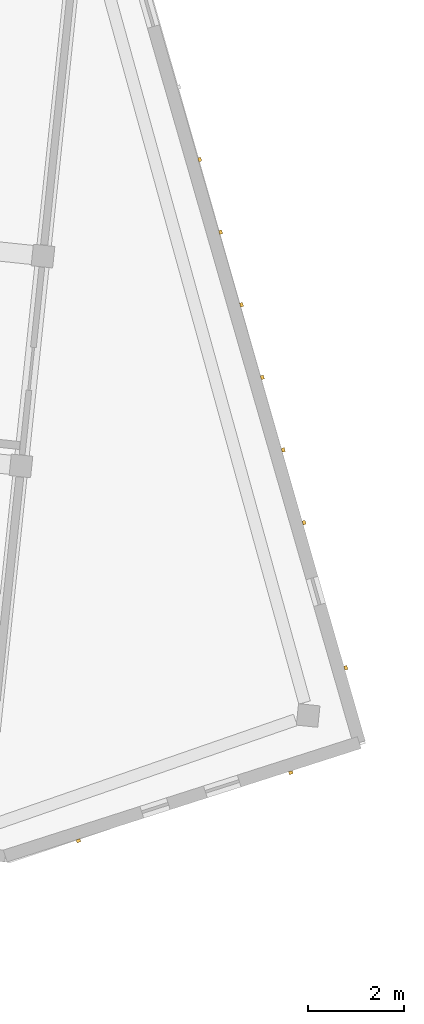
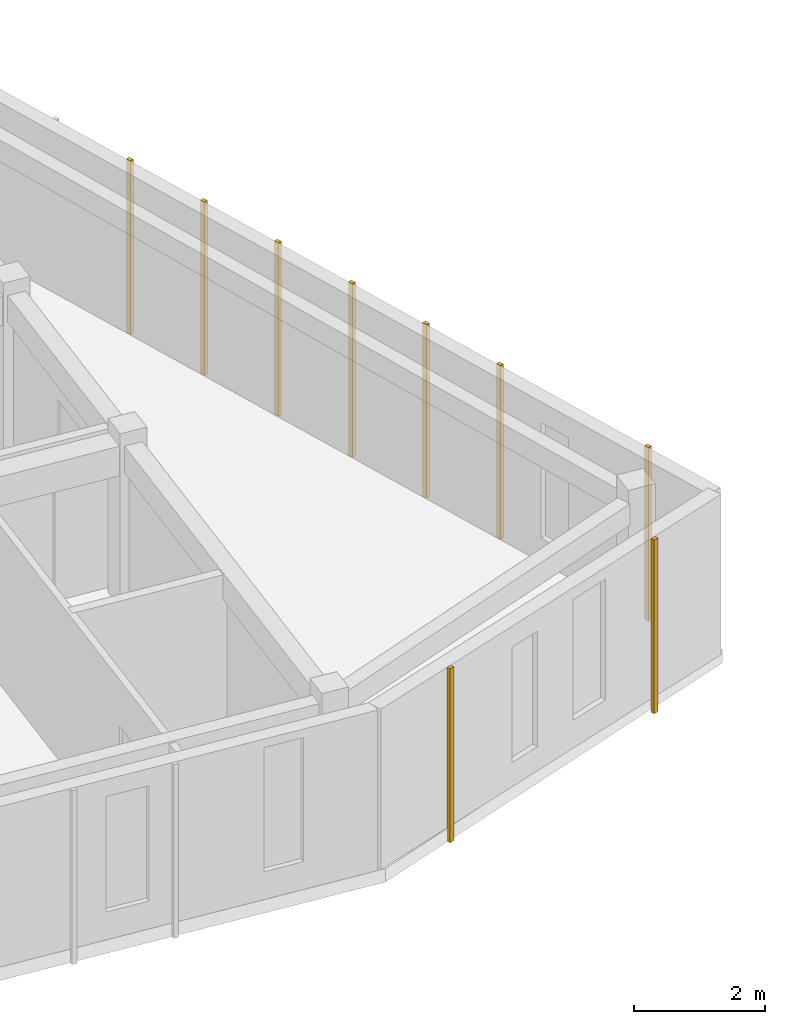
# One storey, part 43 of 45: 9 coverings.
"""IFC4 building model written with IfcOpenShell, lengths in metres."""

from ifc_helpers import new_model, si_unit, direction, frame, origin, origin_2d, place, context, subcontext, project, spatial, rectangle, extrude, material, layer, layer_set, type_object, element, save


model = new_model("IFC4")

# Units and contexts
model_context = context("Model", 3, precision=1e-05, world=origin(), true_north=direction((0.0, 1.0)))
body_context = subcontext(model_context, "Body", "Model", "MODEL_VIEW")
ifc_project = project(units=[si_unit("LENGTHUNIT", "METRE"), si_unit("AREAUNIT", "SQUARE_METRE"), si_unit("VOLUMEUNIT", "CUBIC_METRE"), si_unit("PLANEANGLEUNIT", "RADIAN"), si_unit("MASSUNIT", "GRAM", prefix="KILO")], contexts=[model_context])

# Site, building, storey
site_placement = place(None, origin())
site = spatial("IfcSite", under=ifc_project, at=site_placement, CompositionType="ELEMENT")
building_placement = place(site_placement, origin())
building = spatial("IfcBuilding", under=site, at=building_placement, Name="Kestramere Prow Commons", CompositionType="ELEMENT")
storey_placement = place(building_placement, frame((0.0, 0.0, 31.14990234375)))
storey = spatial("IfcBuildingStorey", under=building, at=storey_placement, Name="L09", CompositionType="ELEMENT", Elevation=31.14990234375)

# Coverings
ifc_material = material(Name="Weathered Zinc-Titanium Standing-Seam Cladding")
ifc_layer = layer(ifc_material, 0.074951171875)
ifc_layer_set = layer_set([ifc_layer], Name="Weathered Zinc-Titanium Standing-Seam Cladding")
covering_type = type_object("IfcCoveringType", Name="COV-CLAD-SEAM", PredefinedType="CLADDING", material=ifc_layer_set)
for number, where, z_axis, x_axis, name in (
    (1, (162.260498046875, 103.73046875, -0.25), (0.0, 0.0, 1.0), (0.27631844013, -0.961066136977, 0.0), "EW-B-L09-PRW-N Standing-Seam Rib 4"),
    (2, (162.69580078125, 102.21630859375, -0.25), (0.0, 0.0, 1.0), (0.27631844013, -0.961066136977, 0.0), "EW-B-L09-PRW-N Standing-Seam Rib 5"),
    (3, (163.131103515625, 100.7021484375, -0.25), (0.0, 0.0, 1.0), (0.27631844013, -0.961066136977, 0.0), "EW-B-L09-PRW-N Standing-Seam Rib 6"),
    (4, (163.56640625, 99.18798828125, -0.25), (0.0, 0.0, 1.0), (0.27631844013, -0.961066136977, 0.0), "EW-B-L09-PRW-N Standing-Seam Rib 7"),
    (5, (164.001708984375, 97.673583984375, -0.25), (0.0, 0.0, 1.0), (0.27631844013, -0.961066136977, 0.0), "EW-B-L09-PRW-N Standing-Seam Rib 8"),
    (6, (164.437255859375, 96.159423828125, -0.25), (0.0, 0.0, 1.0), (0.27631844013, -0.961066136977, 0.0), "EW-B-L09-PRW-N Standing-Seam Rib 9"),
    (7, (165.307861328125, 93.131103515625, -0.25), (0.0, 0.0, 1.0), (0.27631844013, -0.961066136977, 0.0), "EW-B-L09-PRW-N Standing-Seam Rib 11"),
    (8, (164.16015625, 90.94384765625, -0.25), (0.0, 0.0, 1.0), (-0.952283464374, -0.305215011884, 0.0), "EW-B-L09-PRW-S Standing-Seam Rib 1"),
    (9, (159.73046875, 89.524169921875, -0.25), (0.0, 0.0, 1.0), (-0.952283464374, -0.305215011884, 0.0), "EW-B-L09-PRW-S Standing-Seam Rib 4"),
):
    element("IfcCovering", number, at=place(storey_placement, frame(where, z_axis=z_axis, x_axis=x_axis)), inside=storey, type_object=covering_type, Name=name, PredefinedType="CLADDING", context=body_context, shape_type="SweptSolid", body=[
        extrude(rectangle(XDim=0.0849609375, YDim=0.06494140625, at=origin_2d()), origin(), (0.0, 0.0, 1.0), 3.25),
    ])

save(model, "model.ifc")
